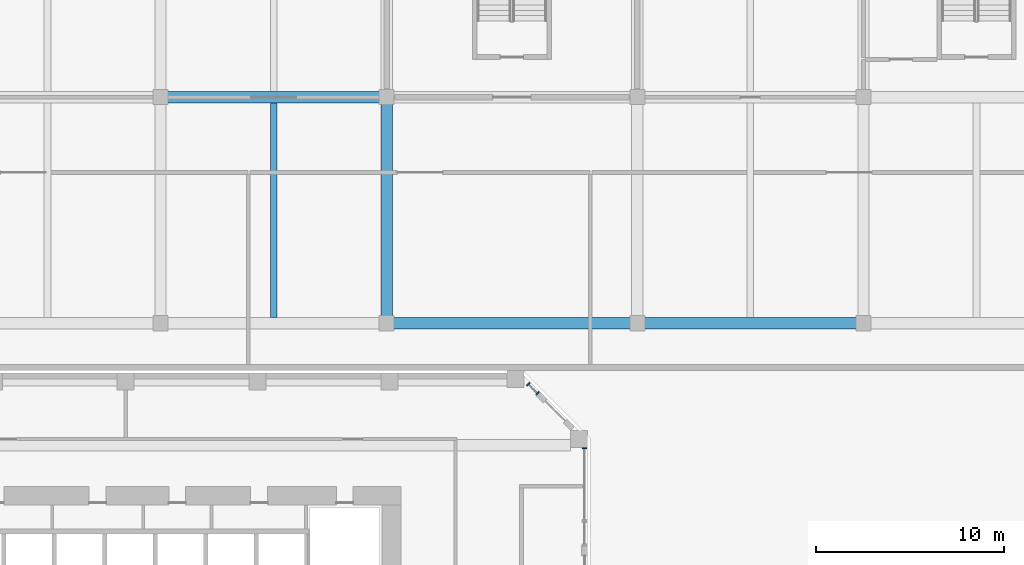
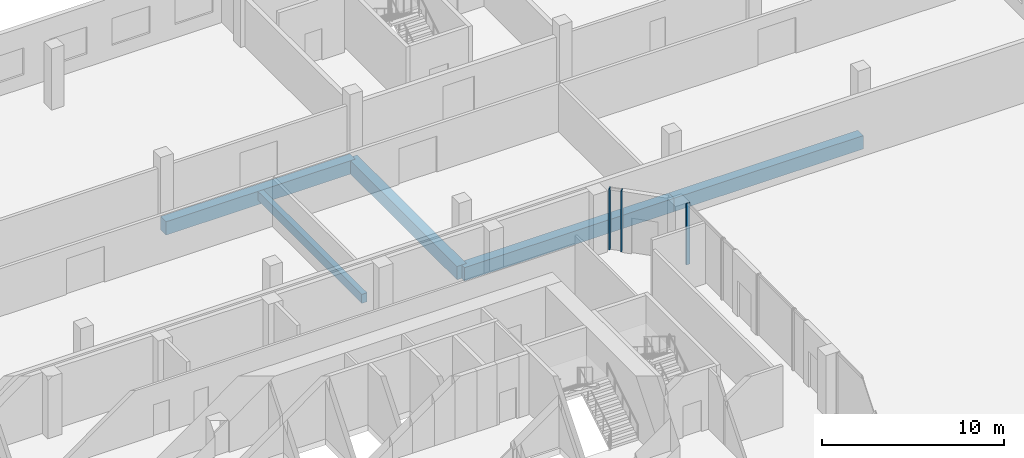
# One storey, part 9 of 38: 5 beams, 3 members, 2 elements without a shape of their own.
"""IFC4 building model written with IfcOpenShell, lengths in metres."""

from ifc_helpers import new_model, si_unit, direction, frame, origin, origin_2d, place, context, subcontext, project, spatial, rectangle, extrude, source, transform, mapped, material, material_profile, profile_set, type_object, element, aggregate, save


model = new_model("IFC4")

# Units and contexts
model_context = context("Model", 3, precision=1e-05, world=origin(), true_north=direction((0.0, 1.0)))
body_context = subcontext(model_context, "Body", "Model", "MODEL_VIEW")
ifc_project = project(units=[si_unit("LENGTHUNIT", "METRE"), si_unit("AREAUNIT", "SQUARE_METRE"), si_unit("VOLUMEUNIT", "CUBIC_METRE"), si_unit("PLANEANGLEUNIT", "RADIAN"), si_unit("MASSUNIT", "GRAM", prefix="KILO")], contexts=[model_context])

# Site, building, storey
site_placement = place(None, origin())
site = spatial("IfcSite", under=ifc_project, at=site_placement, CompositionType="ELEMENT")
building_placement = place(site_placement, origin())
building = spatial("IfcBuilding", under=site, at=building_placement, Name="Kilnfold Tower and Market Hall", CompositionType="ELEMENT")
storey_placement = place(building_placement, frame((0.0, 0.0, 9.0)))
storey = spatial("IfcBuildingStorey", under=building, at=storey_placement, Name="L01", CompositionType="ELEMENT", Elevation=9.0)

# Beams
ifc_material_1 = material(Name="Concrete C40/50", Category="concrete")
ifc_material_profile_1 = material_profile(ifc_material_1, rectangle(XDim=0.60009765625, YDim=0.89990234375, at=origin_2d()), Name="RC 600x900")
ifc_profile_set_1 = profile_set([ifc_material_profile_1], Name="Concrete C40/50")
beam_type_1 = type_object("IfcBeamType", Name="HALL GIRDER 600X900", PredefinedType="BEAM", material=ifc_profile_set_1)
for number, where, z_axis, x_axis, name in (
    (1, (5.35009765625, 42.64990234375, -0.85009765625), (1.0, 0.0, 0.0), (0.0, 1.0, 0.0), "Beam MG1.59"),
    (2, (17.35009765625, 30.64990234375, -0.85009765625), (0.0, 1.0, 0.0), (-1.0, 0.0, 0.0), "Beam MG1.61"),
):
    element("IfcBeam", number, at=place(storey_placement, frame(where, z_axis=z_axis, x_axis=x_axis)), inside=storey, type_object=beam_type_1, Name=name, PredefinedType="BEAM", context=body_context, shape_type="SweptSolid", body=[
        extrude(rectangle(XDim=0.60009765625, YDim=0.89990234375, at=origin_2d()), origin(), (0.0, 0.0, 1.0), 12.0),
    ])
beam_1_placement = place(storey_placement, frame((17.35009765625, 30.64990234375, -0.85009765625), z_axis=(1.0, 0.0, 0.0), x_axis=(0.0, 1.0, 0.0)))
element("IfcBeam", 3, at=beam_1_placement, inside=storey, type_object=beam_type_1, Name="Beam MG1.62", PredefinedType="BEAM", context=body_context, shape_type="SweptSolid", body=[
    extrude(rectangle(XDim=0.60009765625, YDim=0.89990234375, at=origin_2d()), origin(), (0.0, 0.0, 1.0), 13.2998046875),
])
beam_2_placement = place(storey_placement, frame((30.64990234375, 30.64990234375, -0.85009765625), z_axis=(1.0, 0.0, 0.0), x_axis=(0.0, 1.0, 0.0)))
element("IfcBeam", 4, at=beam_2_placement, inside=storey, type_object=beam_type_1, Name="Beam MG1.67", PredefinedType="BEAM", context=body_context, shape_type="SweptSolid", body=[
    extrude(rectangle(XDim=0.60009765625, YDim=0.89990234375, at=origin_2d()), origin(), (0.0, 0.0, 1.0), 12.0),
])
ifc_material_2 = material(Name="Concrete C40/50", Category="concrete")
ifc_material_profile_2 = material_profile(ifc_material_2, rectangle(XDim=0.35009765625, YDim=0.60009765625, at=origin_2d()), Name="RC 350x600")
ifc_profile_set_2 = profile_set([ifc_material_profile_2], Name="Concrete C40/50")
beam_type_2 = type_object("IfcBeamType", Name="HALL JOIST 350X600", PredefinedType="BEAM", material=ifc_profile_set_2)
beam_3_placement = place(storey_placement, frame((11.35009765625, 30.949951171875, -0.699951171875), z_axis=(0.0, 1.0, 0.0), x_axis=(-1.0, 0.0, 0.0)))
element("IfcBeam", 5, at=beam_3_placement, inside=storey, type_object=beam_type_2, Name="Beam MJ1.16", PredefinedType="BEAM", context=body_context, shape_type="SweptSolid", body=[
    extrude(rectangle(XDim=0.35009765625, YDim=0.60009765625, at=origin_2d()), origin(), (0.0, 0.0, 1.0), 11.400146484375),
])

# Curtain wall, member
ifc_material_3 = material(Name="Aluminium and double glazing", Category="aluminium")
curtain_wall_type = type_object("IfcCurtainWallType", Name="CW BASE PODIUM GLAZING", PredefinedType="NOTDEFINED", material=ifc_material_3)
curtain_wall_1_placement = place(storey_placement, origin())
curtain_wall_1 = element("IfcCurtainWall", 6, at=curtain_wall_1_placement, inside=storey, type_object=curtain_wall_type, Name="Curtain wall CW4 L01 E", PredefinedType="NOTDEFINED")
ifc_material_4 = material(Name="Aluminium", Category="aluminium")
ifc_material_profile_3 = material_profile(ifc_material_4, rectangle(XDim=0.070068359375, YDim=0.219970703125, at=origin_2d()), Name="MULLION 70x220")
ifc_profile_set_3 = profile_set([ifc_material_profile_3], Name="Aluminium")
member_type = type_object("IfcMemberType", Name="MULLION 70X220", PredefinedType="MULLION", material=ifc_profile_set_3)
shared_shape = source(origin(), body_context, "Body", "SweptSolid", [
    extrude(rectangle(XDim=0.070068359375, YDim=0.219970703125, at=origin_2d()), origin(), (0.0, 0.0, 1.0), 4.10009765625),
])
member_1_placement = place(storey_placement, frame((27.85009765625, 24.014892578125, 0.0), z_axis=(0.0, 0.0, 1.0), x_axis=(0.0, 1.0, 0.0)))
member_1 = element("IfcMember", 7, at=member_1_placement, type_object=member_type, Name="CW4 mullion 2", PredefinedType="MULLION", context=body_context, shape_type="MappedRepresentation", body=[
    mapped(shared_shape, transform((0.0, 0.0, 0.0))),
])
aggregate(curtain_wall_1, [member_1])

# Curtain wall, members
curtain_wall_2_placement = place(storey_placement, origin())
curtain_wall_2 = element("IfcCurtainWall", 8, at=curtain_wall_2_placement, inside=storey, type_object=curtain_wall_type, Name="Curtain wall CW4 L01 NE", PredefinedType="NOTDEFINED")
member_2_placement = place(storey_placement, frame((25.355712890625, 26.93212890625, 0.0), z_axis=(0.0, 0.0, 1.0), x_axis=(-0.707106781187, 0.707106781187, 0.0)))
member_2 = element("IfcMember", 9, at=member_2_placement, type_object=member_type, Name="CW4 mullion 1", PredefinedType="MULLION", context=body_context, shape_type="MappedRepresentation", body=[
    mapped(shared_shape, transform((0.0, 0.0, 0.0))),
])
member_3_placement = place(storey_placement, frame((24.86865234375, 27.419189453125, 0.0), z_axis=(0.0, 0.0, 1.0), x_axis=(-0.707106781187, 0.707106781187, 0.0)))
member_3 = element("IfcMember", 10, at=member_3_placement, type_object=member_type, Name="CW4 mullion 2", PredefinedType="MULLION", context=body_context, shape_type="MappedRepresentation", body=[
    mapped(shared_shape, transform((0.0, 0.0, 0.0))),
])
aggregate(curtain_wall_2, [member_2, member_3])

save(model, "model.ifc")
